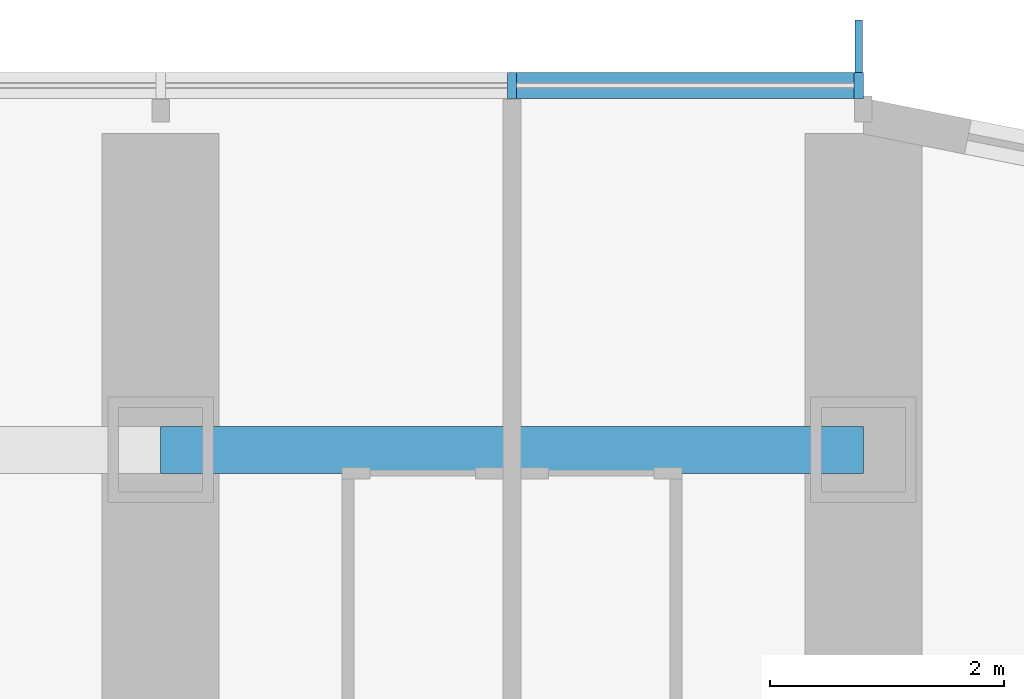
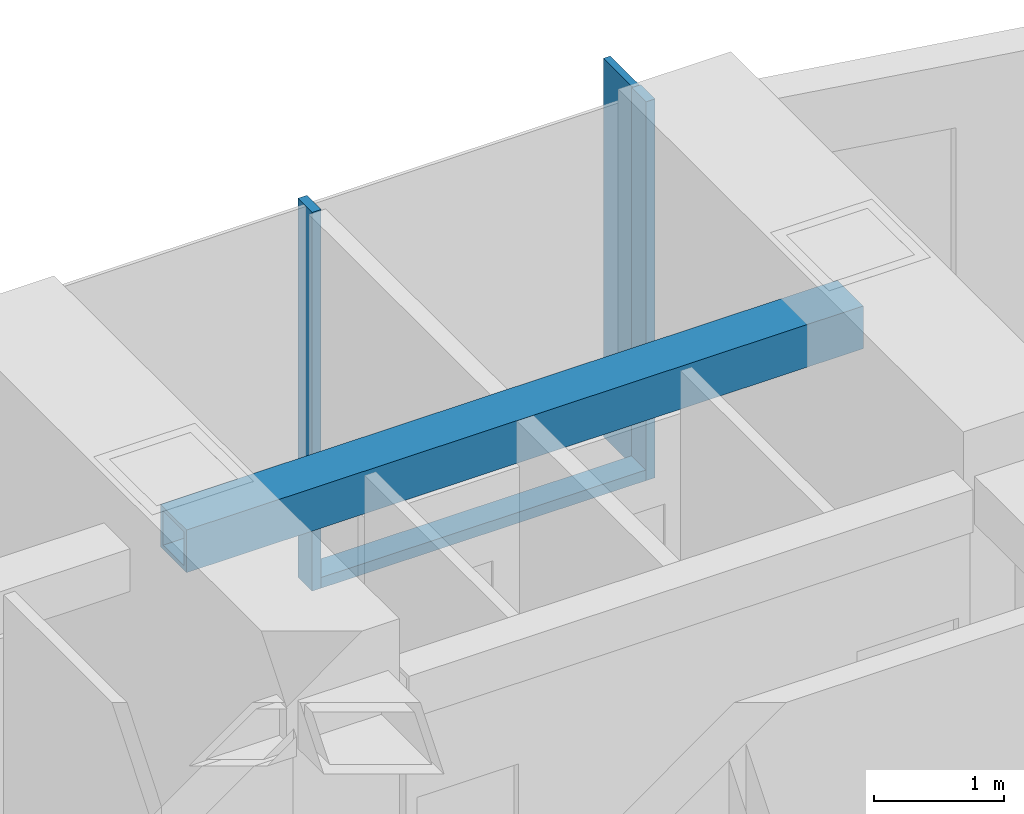
# One storey, part 7 of 24: 4 members, 1 beam, 1 element without a shape of its own.
"""IFC4 building model written with IfcOpenShell, lengths in metres."""

from ifc_helpers import new_model, si_unit, direction, frame, origin, origin_2d, place, context, subcontext, project, spatial, rectangle, hollow_rectangle, extrude, material, material_profile, profile_set, type_object, element, aggregate, save


model = new_model("IFC4")

# Units and contexts
model_context = context("Model", 3, precision=1e-05, world=origin(), true_north=direction((0.0, 1.0)))
body_context = subcontext(model_context, "Body", "Model", "MODEL_VIEW")
ifc_project = project(units=[si_unit("LENGTHUNIT", "METRE"), si_unit("AREAUNIT", "SQUARE_METRE"), si_unit("VOLUMEUNIT", "CUBIC_METRE"), si_unit("PLANEANGLEUNIT", "RADIAN"), si_unit("MASSUNIT", "GRAM", prefix="KILO")], contexts=[model_context])

# Site, building, storey
site_placement = place(None, origin())
site = spatial("IfcSite", under=ifc_project, at=site_placement, CompositionType="ELEMENT")
building_placement = place(site_placement, origin())
building = spatial("IfcBuilding", under=site, at=building_placement, Name="Orbita Commons", CompositionType="ELEMENT")
storey_placement = place(building_placement, frame((0.0, 0.0, 35.199951171875)))
storey = spatial("IfcBuildingStorey", under=building, at=storey_placement, Name="L08", CompositionType="ELEMENT", Elevation=35.199951171875)

# Curtain wall, members
ifc_material_1 = material(Name="Anodised aluminium frame, pale silver", Category="aluminium")
curtain_wall_type = type_object("IfcCurtainWallType", Name="Unitised curtain wall CW-T, vision and spandrel", PredefinedType="NOTDEFINED", material=ifc_material_1)
curtain_wall_placement = place(storey_placement, origin())
curtain_wall = element("IfcCurtainWall", 1, at=curtain_wall_placement, inside=storey, type_object=curtain_wall_type, Name="Curtain wall north L08", PredefinedType="NOTDEFINED")
ifc_material_2 = material(Name="Anodised aluminium, pale silver", Category="aluminium")
ifc_material_profile_1 = material_profile(ifc_material_2, rectangle(XDim=0.080078125, YDim=0.219970703125, at=origin_2d()), Name="AL 80x220")
ifc_profile_set_1 = profile_set([ifc_material_profile_1], Name="Anodised aluminium, pale silver")
member_type_1 = type_object("IfcMemberType", Name="Curtain wall mullion 80x220", PredefinedType="MULLION", material=ifc_profile_set_1)
member_1_placement = place(storey_placement, frame((71.9599609375, 56.7099609375, -0.25), z_axis=(0.0, 0.0, 1.0), x_axis=(-1.0, 0.0, 0.0)))
member_1 = element("IfcMember", 2, at=member_1_placement, type_object=member_type_1, Name="Mullion 1 CW-L08-N", PredefinedType="MULLION", context=body_context, shape_type="SweptSolid", body=[
    extrude(rectangle(XDim=0.080078125, YDim=0.219970703125, at=origin_2d()), origin(), (0.0, 0.0, 1.0), 3.550048828125),
])
member_2_placement = place(storey_placement, frame((69.0, 56.7099609375, -0.25), z_axis=(0.0, 0.0, 1.0), x_axis=(-1.0, 0.0, 0.0)))
member_2 = element("IfcMember", 3, at=member_2_placement, type_object=member_type_1, Name="Mullion 2 CW-L08-N", PredefinedType="MULLION", context=body_context, shape_type="SweptSolid", body=[
    extrude(rectangle(XDim=0.080078125, YDim=0.219970703125, at=origin_2d()), origin(), (0.0, 0.0, 1.0), 3.550048828125),
])
ifc_material_3 = material(Name="Anodised aluminium, pale silver", Category="aluminium")
ifc_material_profile_2 = material_profile(ifc_material_3, rectangle(XDim=0.219970703125, YDim=0.10009765625, at=origin_2d()), Name="AL 220x100")
ifc_profile_set_2 = profile_set([ifc_material_profile_2], Name="Anodised aluminium, pale silver")
member_type_2 = type_object("IfcMemberType", Name="Curtain wall stack transom 220x100", PredefinedType="USERDEFINED", material=ifc_profile_set_2)
member_3_placement = place(storey_placement, frame((71.919921875, 56.7099609375, -0.199951171875), z_axis=(-1.0, 0.0, 0.0), x_axis=(0.0, -1.0, 0.0)))
member_3 = element("IfcMember", 4, at=member_3_placement, type_object=member_type_2, Name="Transom 1.1 CW-L08-N", ObjectType="TRANSOM", PredefinedType="USERDEFINED", context=body_context, shape_type="SweptSolid", body=[
    extrude(rectangle(XDim=0.219970703125, YDim=0.10009765625, at=origin_2d()), origin(), (0.0, 0.0, 1.0), 2.8798828125),
])

# Beam
ifc_material_4 = material(Name="Steel ASTM A572 Gr 50 welded plate", Category="steel")
ifc_material_profile_3 = material_profile(ifc_material_4, hollow_rectangle(XDim=0.39990234375, YDim=0.39990234375, WallThickness=0.0400390625, at=origin_2d()), Name="BOX 400x400x40")
ifc_profile_set_3 = profile_set([ifc_material_profile_3], Name="Steel ASTM A572 Gr 50 welded plate")
beam_type = type_object("IfcBeamType", Name="Steel spandrel BOX 400x400x40", PredefinedType="SPANDREL", material=ifc_profile_set_3)
beam_placement = place(storey_placement, frame((66.0, 53.60009765625, 3.10009765625), z_axis=(1.0, 0.0, 0.0), x_axis=(0.0, 1.0, 0.0)))
element("IfcBeam", 5, at=beam_placement, inside=storey, type_object=beam_type, Name="Spandrel beam E 12-13 L08", PredefinedType="SPANDREL", context=body_context, shape_type="SweptSolid", body=[
    extrude(hollow_rectangle(XDim=0.39990234375, YDim=0.39990234375, WallThickness=0.0400390625, at=origin_2d()), origin(), (0.0, 0.0, 1.0), 6.0),
])

# Member
ifc_material_5 = material(Name="Anodised aluminium, pale silver", Category="aluminium")
ifc_material_profile_4 = material_profile(ifc_material_5, rectangle(XDim=0.06005859375, YDim=0.449951171875, at=origin_2d()), Name="FIN 60x450")
ifc_profile_set_4 = profile_set([ifc_material_profile_4], Name="Anodised aluminium, pale silver")
member_type_3 = type_object("IfcMemberType", Name="Vertical fin 60x450 pale aluminium", PredefinedType="USERDEFINED", material=ifc_profile_set_4)
member_4_placement = place(storey_placement, frame((71.9599609375, 57.044921875, -0.25), z_axis=(0.0, 0.0, 1.0), x_axis=(-1.0, 0.0, 0.0)))
member_4 = element("IfcMember", 6, at=member_4_placement, type_object=member_type_3, Name="Fin 1 CW-L08-N", ObjectType="FIN", PredefinedType="USERDEFINED", context=body_context, shape_type="SweptSolid", body=[
    extrude(rectangle(XDim=0.06005859375, YDim=0.449951171875, at=origin_2d()), origin(), (0.0, 0.0, 1.0), 3.550048828125),
])

aggregate(curtain_wall, [member_1, member_4, member_2, member_3])

save(model, "model.ifc")
